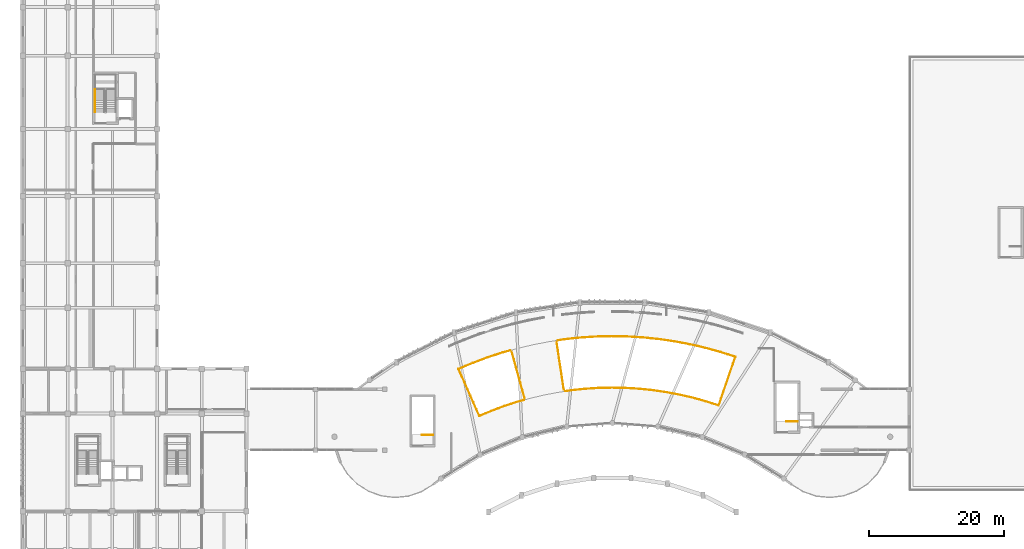
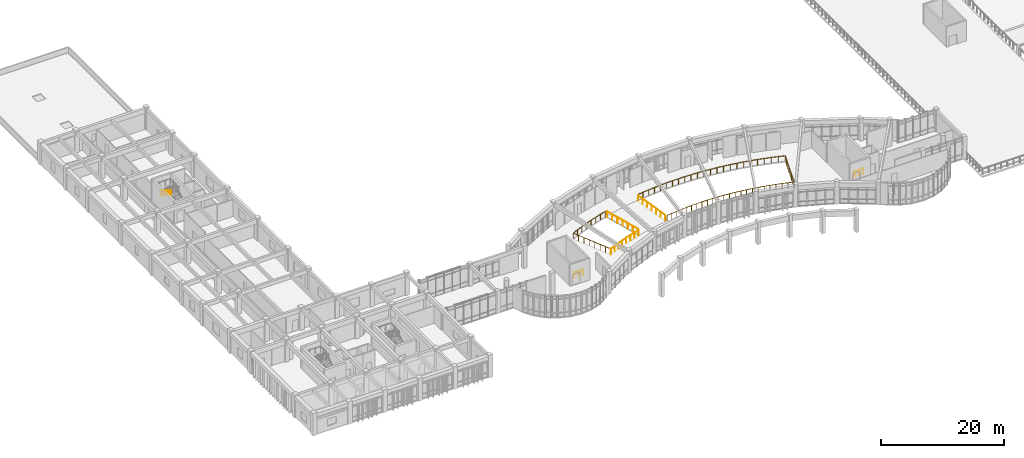
# One storey, part 51 of 54: 8 railings.
"""IFC4 building model written with IfcOpenShell, lengths in metres."""

from ifc_helpers import new_model, si_unit, direction, frame, origin, origin_2d, place, context, subcontext, project, spatial, circle, extrude, material, type_object, element, save


model = new_model("IFC4")

# Units and contexts
model_context = context("Model", 3, precision=1e-05, world=origin(), true_north=direction((0.0, 1.0)))
body_context = subcontext(model_context, "Body", "Model", "MODEL_VIEW")
ifc_project = project(units=[si_unit("LENGTHUNIT", "METRE"), si_unit("AREAUNIT", "SQUARE_METRE"), si_unit("VOLUMEUNIT", "CUBIC_METRE"), si_unit("PLANEANGLEUNIT", "RADIAN"), si_unit("MASSUNIT", "GRAM", prefix="KILO")], contexts=[model_context])

# Site, building, storey
site_placement = place(None, origin())
site = spatial("IfcSite", under=ifc_project, at=site_placement, CompositionType="ELEMENT")
building_placement = place(site_placement, origin())
building = spatial("IfcBuilding", under=site, at=building_placement, Name="Miralva Faculty of Natural Sciences", CompositionType="ELEMENT")
storey_placement = place(building_placement, frame((0.0, 0.0, 19.5)))
storey = spatial("IfcBuildingStorey", under=building, at=storey_placement, Name="L04", CompositionType="ELEMENT", Elevation=19.5)

# Railings
ifc_material_1 = material(Name="Steel S355", Category="steel")
railing_type_1 = type_object("IfcRailingType", Name="RL-GR01", PredefinedType="GUARDRAIL", material=ifc_material_1)
for number, where, name in (
    (1, (117.35009765625, 22.25, 0.0), "Stair Core C3 top well guard 1"),
    (2, (63.550048828125, 20.25, 0.0), "Stair Core C6 top well guard 1"),
):
    element("IfcRailing", number, at=place(storey_placement, frame(where)), inside=storey, type_object=railing_type_1, Name=name, PredefinedType="GUARDRAIL", context=body_context, shape_type="SweptSolid", body=[
        extrude(circle(Radius=0.02392578125, at=origin_2d()), frame((0.0, 0.0, 1.09619140625), z_axis=(-1.0, 0.0, 0.0), x_axis=(0.0, -1.0, 0.0)), (0.0, 0.0, 1.0), 1.650146484375),
        extrude(circle(Radius=0.02099609375, at=origin_2d()), origin(), (0.0, 0.0, 1.0), 1.072021484375),
        extrude(circle(Radius=0.02099609375, at=origin_2d()), frame((-0.8251953125, 0.0, 0.0)), (0.0, 0.0, 1.0), 1.072021484375),
        extrude(circle(Radius=0.02099609375, at=origin_2d()), frame((-1.650146484375, 0.0, 0.0)), (0.0, 0.0, 1.0), 1.072021484375),
    ])
ifc_material_2 = material(Name="White powder-coated steel balustrade", Category="steel")
railing_type_2 = type_object("IfcRailingType", Name="RL-GR02", PredefinedType="BALUSTRADE", material=ifc_material_2)
railing_1_placement = place(storey_placement, frame((70.395263671875, 23.032958984375, 0.0)))
element("IfcRailing", 3, at=railing_1_placement, inside=storey, type_object=railing_type_2, Name="Atrium curved white gallery balustrade L04-11", PredefinedType="BALUSTRADE", context=body_context, shape_type="SweptSolid", body=[
    extrude(circle(Radius=0.02392578125, at=origin_2d()), frame((0.0, 0.0, 1.09619140625), z_axis=(-0.406725561135, 0.91355039156, 0.0), x_axis=(-0.91355039156, -0.406725561135, 0.0)), (0.0, 0.0, 1.0), 7.599853515625),
    extrude(circle(Radius=0.02392578125, at=origin_2d()), frame((-3.091064453125, 6.94287109375, 1.09619140625), z_axis=(0.921826899722, 0.387601814946, 0.0), x_axis=(-0.387601814946, 0.921826899722, 0.0)), (0.0, 0.0, 1.0), 2.326171875),
    extrude(circle(Radius=0.02392578125, at=origin_2d()), frame((-0.94677734375, 7.844482421875, 1.09619140625), z_axis=(0.937158825962, 0.34890304516, 0.0), x_axis=(-0.34890304516, 0.937158825962, 0.0)), (0.0, 0.0, 1.0), 2.32666015625),
    extrude(circle(Radius=0.02392578125, at=origin_2d()), frame((1.233642578125, 8.65625, 1.09619140625), z_axis=(0.950936073236, 0.309387434488, 0.0), x_axis=(-0.309387434488, 0.950936073236, 0.0)), (0.0, 0.0, 1.0), 2.326416015625),
    extrude(circle(Radius=0.02392578125, at=origin_2d()), frame((3.44580078125, 9.3759765625, 1.09619140625), z_axis=(0.962968554222, 0.269613730325, 0.0), x_axis=(-0.269613730325, 0.962968554222, 0.0)), (0.0, 0.0, 1.0), 1.118408203125),
    extrude(circle(Radius=0.02099609375, at=origin_2d()), origin(), (0.0, 0.0, 1.0), 1.072021484375),
    extrude(circle(Radius=0.02099609375, at=origin_2d()), frame((-0.441650390625, 0.991943359375, 0.0)), (0.0, 0.0, 1.0), 1.072021484375),
    extrude(circle(Radius=0.02099609375, at=origin_2d()), frame((-0.883056640625, 1.983642578125, 0.0)), (0.0, 0.0, 1.0), 1.072021484375),
    extrude(circle(Radius=0.02099609375, at=origin_2d()), frame((-1.32470703125, 2.9755859375, 0.0)), (0.0, 0.0, 1.0), 1.072021484375),
    extrude(circle(Radius=0.02099609375, at=origin_2d()), frame((-1.766357421875, 3.96728515625, 0.0)), (0.0, 0.0, 1.0), 1.072021484375),
    extrude(circle(Radius=0.02099609375, at=origin_2d()), frame((-2.2080078125, 4.959228515625, 0.0)), (0.0, 0.0, 1.0), 1.072021484375),
    extrude(circle(Radius=0.02099609375, at=origin_2d()), frame((-2.6494140625, 5.950927734375, 0.0)), (0.0, 0.0, 1.0), 1.072021484375),
    extrude(circle(Radius=0.02099609375, at=origin_2d()), frame((-3.091064453125, 6.94287109375, 0.0)), (0.0, 0.0, 1.0), 1.072021484375),
    extrude(circle(Radius=0.02099609375, at=origin_2d()), frame((-2.01904296875, 7.3935546875, 0.0)), (0.0, 0.0, 1.0), 1.072021484375),
    extrude(circle(Radius=0.02099609375, at=origin_2d()), frame((-0.94677734375, 7.844482421875, 0.0)), (0.0, 0.0, 1.0), 1.072021484375),
    extrude(circle(Radius=0.02099609375, at=origin_2d()), frame((0.1435546875, 8.25048828125, 0.0)), (0.0, 0.0, 1.0), 1.072021484375),
    extrude(circle(Radius=0.02099609375, at=origin_2d()), frame((1.233642578125, 8.65625, 0.0)), (0.0, 0.0, 1.0), 1.072021484375),
    extrude(circle(Radius=0.02099609375, at=origin_2d()), frame((2.33984375, 9.01611328125, 0.0)), (0.0, 0.0, 1.0), 1.072021484375),
    extrude(circle(Radius=0.02099609375, at=origin_2d()), frame((3.44580078125, 9.3759765625, 0.0)), (0.0, 0.0, 1.0), 1.072021484375),
    extrude(circle(Radius=0.02099609375, at=origin_2d()), frame((4.522705078125, 9.677490234375, 0.0)), (0.0, 0.0, 1.0), 1.072021484375),
])
railing_2_placement = place(storey_placement, frame((81.931884765625, 34.20166015625, 0.0)))
element("IfcRailing", 4, at=railing_2_placement, inside=storey, type_object=railing_type_2, Name="Atrium curved white gallery balustrade L04-21", PredefinedType="BALUSTRADE", context=body_context, shape_type="SweptSolid", body=[
    extrude(circle(Radius=0.02392578125, at=origin_2d()), frame((0.0, 0.0, 1.09619140625), z_axis=(0.98908118853, 0.147371647534, 0.0), x_axis=(-0.147371647534, 0.98908118853, 0.0)), (0.0, 0.0, 1.0), 1.010498046875),
    extrude(circle(Radius=0.02392578125, at=origin_2d()), frame((0.99951171875, 0.14892578125, 1.09619140625), z_axis=(0.994376455982, 0.105903086773, 0.0), x_axis=(-0.105903086773, 0.994376455982, 0.0)), (0.0, 0.0, 1.0), 2.326171875),
    extrude(circle(Radius=0.02392578125, at=origin_2d()), frame((3.3125, 0.395263671875, 1.09619140625), z_axis=(0.99792182747, 0.064436218537, 0.0), x_axis=(-0.064436218537, 0.99792182747, 0.0)), (0.0, 0.0, 1.0), 2.326416015625),
    extrude(circle(Radius=0.02392578125, at=origin_2d()), frame((5.634033203125, 0.545166015625, 1.09619140625), z_axis=(0.99974069661, 0.022771463332, 0.0), x_axis=(-0.022771463332, 0.99974069661, 0.0)), (0.0, 0.0, 1.0), 2.326416015625),
    extrude(circle(Radius=0.02392578125, at=origin_2d()), frame((7.9599609375, 0.59814453125, 1.09619140625), z_axis=(0.999821562377, -0.018890299279, 0.0), x_axis=(0.018890299279, 0.999821562377, 0.0)), (0.0, 0.0, 1.0), 2.326416015625),
    extrude(circle(Radius=0.02392578125, at=origin_2d()), frame((10.285888671875, 0.55419921875, 1.09619140625), z_axis=(0.998164846104, -0.060555264031, 0.0), x_axis=(0.060555264031, 0.998164846104, 0.0)), (0.0, 0.0, 1.0), 2.326171875),
    extrude(circle(Radius=0.02392578125, at=origin_2d()), frame((12.60791015625, 0.413330078125, 1.09619140625), z_axis=(0.994772968582, -0.102111414541, 0.0), x_axis=(0.102111414541, 0.994772968582, 0.0)), (0.0, 0.0, 1.0), 2.326416015625),
    extrude(circle(Radius=0.02392578125, at=origin_2d()), frame((14.922119140625, 0.17578125, 1.09619140625), z_axis=(0.989655632774, -0.143463335101, 0.0), x_axis=(0.143463335101, 0.989655632774, 0.0)), (0.0, 0.0, 1.0), 2.326416015625),
    extrude(circle(Radius=0.02392578125, at=origin_2d()), frame((17.224365234375, -0.157958984375, 1.09619140625), z_axis=(0.982813922885, -0.184599005911, 0.0), x_axis=(0.184599005911, 0.982813922885, 0.0)), (0.0, 0.0, 1.0), 2.326416015625),
    extrude(circle(Radius=0.02392578125, at=origin_2d()), frame((19.5107421875, -0.58740234375, 1.09619140625), z_axis=(0.974235308545, -0.225533952177, 0.0), x_axis=(0.225533952177, 0.974235308545, 0.0)), (0.0, 0.0, 1.0), 2.326171875),
    extrude(circle(Radius=0.02392578125, at=origin_2d()), frame((21.777099609375, -1.112060546875, 1.09619140625), z_axis=(0.964028785432, -0.265797857135, 0.0), x_axis=(0.265797857135, 0.964028785432, 0.0)), (0.0, 0.0, 1.0), 2.32666015625),
    extrude(circle(Radius=0.02392578125, at=origin_2d()), frame((24.02001953125, -1.73046875, 1.09619140625), z_axis=(0.952120244936, -0.30572379558, 0.0), x_axis=(0.30572379558, 0.952120244936, 0.0)), (0.0, 0.0, 1.0), 2.326171875),
    extrude(circle(Radius=0.02392578125, at=origin_2d()), frame((26.23486328125, -2.441650390625, 1.09619140625), z_axis=(-0.325569907155, -0.945517972095, 0.0), x_axis=(0.945517972095, -0.325569907155, 0.0)), (0.0, 0.0, 1.0), 7.60009765625),
    extrude(circle(Radius=0.02392578125, at=origin_2d()), frame((23.760498046875, -9.627685546875, 1.09619140625), z_axis=(-0.952100584939, 0.305785016242, 0.0), x_axis=(-0.305785016242, -0.952100584939, 0.0)), (0.0, 0.0, 1.0), 2.009521484375),
    extrude(circle(Radius=0.02392578125, at=origin_2d()), frame((21.84716796875, -9.01318359375, 1.09619140625), z_axis=(-0.964022682482, 0.265819991086, 0.0), x_axis=(-0.265819991086, -0.964022682482, 0.0)), (0.0, 0.0, 1.0), 2.009521484375),
    extrude(circle(Radius=0.02392578125, at=origin_2d()), frame((19.909912109375, -8.47900390625, 1.09619140625), z_axis=(-0.974239432549, 0.225516137043, 0.0), x_axis=(-0.225516137043, -0.974239432549, 0.0)), (0.0, 0.0, 1.0), 2.00927734375),
    extrude(circle(Radius=0.02392578125, at=origin_2d()), frame((17.952392578125, -8.02587890625, 1.09619140625), z_axis=(-0.982825394472, 0.184537920173, 0.0), x_axis=(-0.184537920173, -0.982825394472, 0.0)), (0.0, 0.0, 1.0), 2.009521484375),
    extrude(circle(Radius=0.02392578125, at=origin_2d()), frame((15.977294921875, -7.655029296875, 1.09619140625), z_axis=(-0.989653349856, 0.143479082516, 0.0), x_axis=(-0.143479082516, -0.989653349856, 0.0)), (0.0, 0.0, 1.0), 2.009521484375),
    extrude(circle(Radius=0.02392578125, at=origin_2d()), frame((13.988525390625, -7.36669921875, 1.09619140625), z_axis=(-0.994766567768, 0.102173752259, 0.0), x_axis=(-0.102173752259, -0.994766567768, 0.0)), (0.0, 0.0, 1.0), 2.009521484375),
    extrude(circle(Radius=0.02392578125, at=origin_2d()), frame((11.989501953125, -7.161376953125, 1.09619140625), z_axis=(-0.998167607188, 0.060509734435, 0.0), x_axis=(-0.060509734435, -0.998167607188, 0.0)), (0.0, 0.0, 1.0), 2.00927734375),
    extrude(circle(Radius=0.02392578125, at=origin_2d()), frame((9.98388671875, -7.039794921875, 1.09619140625), z_axis=(-0.999820401576, 0.018951638232, 0.0), x_axis=(-0.018951638232, -0.999820401576, 0.0)), (0.0, 0.0, 1.0), 2.009521484375),
    extrude(circle(Radius=0.02392578125, at=origin_2d()), frame((7.974609375, -7.001708984375, 1.09619140625), z_axis=(-0.999739131518, -0.022840072515, 0.0), x_axis=(0.022840072515, -0.999739131518, 0.0)), (0.0, 0.0, 1.0), 2.009521484375),
    extrude(circle(Radius=0.02392578125, at=origin_2d()), frame((5.965576171875, -7.047607421875, 1.09619140625), z_axis=(-0.997924805349, -0.064390083618, 0.0), x_axis=(0.064390083618, -0.997924805349, 0.0)), (0.0, 0.0, 1.0), 2.009521484375),
    extrude(circle(Radius=0.02392578125, at=origin_2d()), frame((3.960205078125, -7.177001953125, 1.09619140625), z_axis=(-0.99437149569, -0.105949651056, 0.0), x_axis=(0.105949651056, -0.99437149569, 0.0)), (0.0, 0.0, 1.0), 2.00927734375),
    extrude(circle(Radius=0.02392578125, at=origin_2d()), frame((1.962158203125, -7.389892578125, 1.09619140625), z_axis=(-0.989079466652, -0.147383203413, 0.0), x_axis=(0.147383203413, -0.989079466652, 0.0)), (0.0, 0.0, 1.0), 0.84814453125),
    extrude(circle(Radius=0.02099609375, at=origin_2d()), origin(), (0.0, 0.0, 1.0), 1.072021484375),
    extrude(circle(Radius=0.02099609375, at=origin_2d()), frame((0.99951171875, 0.14892578125, 0.0)), (0.0, 0.0, 1.0), 1.072021484375),
    extrude(circle(Radius=0.02099609375, at=origin_2d()), frame((2.156005859375, 0.27197265625, 0.0)), (0.0, 0.0, 1.0), 1.072021484375),
    extrude(circle(Radius=0.02099609375, at=origin_2d()), frame((3.3125, 0.395263671875, 0.0)), (0.0, 0.0, 1.0), 1.072021484375),
    extrude(circle(Radius=0.02099609375, at=origin_2d()), frame((4.47314453125, 0.47021484375, 0.0)), (0.0, 0.0, 1.0), 1.072021484375),
    extrude(circle(Radius=0.02099609375, at=origin_2d()), frame((5.634033203125, 0.545166015625, 0.0)), (0.0, 0.0, 1.0), 1.072021484375),
    extrude(circle(Radius=0.02099609375, at=origin_2d()), frame((6.796875, 0.57177734375, 0.0)), (0.0, 0.0, 1.0), 1.072021484375),
    extrude(circle(Radius=0.02099609375, at=origin_2d()), frame((7.9599609375, 0.59814453125, 0.0)), (0.0, 0.0, 1.0), 1.072021484375),
    extrude(circle(Radius=0.02099609375, at=origin_2d()), frame((9.123046875, 0.576171875, 0.0)), (0.0, 0.0, 1.0), 1.072021484375),
    extrude(circle(Radius=0.02099609375, at=origin_2d()), frame((10.285888671875, 0.55419921875, 0.0)), (0.0, 0.0, 1.0), 1.072021484375),
    extrude(circle(Radius=0.02099609375, at=origin_2d()), frame((11.44677734375, 0.48388671875, 0.0)), (0.0, 0.0, 1.0), 1.072021484375),
    extrude(circle(Radius=0.02099609375, at=origin_2d()), frame((12.60791015625, 0.413330078125, 0.0)), (0.0, 0.0, 1.0), 1.072021484375),
    extrude(circle(Radius=0.02099609375, at=origin_2d()), frame((13.76513671875, 0.29443359375, 0.0)), (0.0, 0.0, 1.0), 1.072021484375),
    extrude(circle(Radius=0.02099609375, at=origin_2d()), frame((14.922119140625, 0.17578125, 0.0)), (0.0, 0.0, 1.0), 1.072021484375),
    extrude(circle(Radius=0.02099609375, at=origin_2d()), frame((16.0732421875, 0.0087890625, 0.0)), (0.0, 0.0, 1.0), 1.072021484375),
    extrude(circle(Radius=0.02099609375, at=origin_2d()), frame((17.224365234375, -0.157958984375, 0.0)), (0.0, 0.0, 1.0), 1.072021484375),
    extrude(circle(Radius=0.02099609375, at=origin_2d()), frame((18.36767578125, -0.37255859375, 0.0)), (0.0, 0.0, 1.0), 1.072021484375),
    extrude(circle(Radius=0.02099609375, at=origin_2d()), frame((19.5107421875, -0.58740234375, 0.0)), (0.0, 0.0, 1.0), 1.072021484375),
    extrude(circle(Radius=0.02099609375, at=origin_2d()), frame((20.64404296875, -0.849609375, 0.0)), (0.0, 0.0, 1.0), 1.072021484375),
    extrude(circle(Radius=0.02099609375, at=origin_2d()), frame((21.777099609375, -1.112060546875, 0.0)), (0.0, 0.0, 1.0), 1.072021484375),
    extrude(circle(Radius=0.02099609375, at=origin_2d()), frame((22.8984375, -1.42138671875, 0.0)), (0.0, 0.0, 1.0), 1.072021484375),
    extrude(circle(Radius=0.02099609375, at=origin_2d()), frame((24.02001953125, -1.73046875, 0.0)), (0.0, 0.0, 1.0), 1.072021484375),
    extrude(circle(Radius=0.02099609375, at=origin_2d()), frame((25.12744140625, -2.0859375, 0.0)), (0.0, 0.0, 1.0), 1.072021484375),
    extrude(circle(Radius=0.02099609375, at=origin_2d()), frame((26.23486328125, -2.441650390625, 0.0)), (0.0, 0.0, 1.0), 1.072021484375),
    extrude(circle(Radius=0.02099609375, at=origin_2d()), frame((25.88134765625, -3.46826171875, 0.0)), (0.0, 0.0, 1.0), 1.072021484375),
    extrude(circle(Radius=0.02099609375, at=origin_2d()), frame((25.52783203125, -4.494873046875, 0.0)), (0.0, 0.0, 1.0), 1.072021484375),
    extrude(circle(Radius=0.02099609375, at=origin_2d()), frame((25.17431640625, -5.521484375, 0.0)), (0.0, 0.0, 1.0), 1.072021484375),
    extrude(circle(Radius=0.02099609375, at=origin_2d()), frame((24.821044921875, -6.5478515625, 0.0)), (0.0, 0.0, 1.0), 1.072021484375),
    extrude(circle(Radius=0.02099609375, at=origin_2d()), frame((24.467529296875, -7.574462890625, 0.0)), (0.0, 0.0, 1.0), 1.072021484375),
    extrude(circle(Radius=0.02099609375, at=origin_2d()), frame((24.114013671875, -8.60107421875, 0.0)), (0.0, 0.0, 1.0), 1.072021484375),
    extrude(circle(Radius=0.02099609375, at=origin_2d()), frame((23.760498046875, -9.627685546875, 0.0)), (0.0, 0.0, 1.0), 1.072021484375),
    extrude(circle(Radius=0.02099609375, at=origin_2d()), frame((22.8037109375, -9.3203125, 0.0)), (0.0, 0.0, 1.0), 1.072021484375),
    extrude(circle(Radius=0.02099609375, at=origin_2d()), frame((21.84716796875, -9.01318359375, 0.0)), (0.0, 0.0, 1.0), 1.072021484375),
    extrude(circle(Radius=0.02099609375, at=origin_2d()), frame((20.87841796875, -8.74609375, 0.0)), (0.0, 0.0, 1.0), 1.072021484375),
    extrude(circle(Radius=0.02099609375, at=origin_2d()), frame((19.909912109375, -8.47900390625, 0.0)), (0.0, 0.0, 1.0), 1.072021484375),
    extrude(circle(Radius=0.02099609375, at=origin_2d()), frame((18.93115234375, -8.25244140625, 0.0)), (0.0, 0.0, 1.0), 1.072021484375),
    extrude(circle(Radius=0.02099609375, at=origin_2d()), frame((17.952392578125, -8.02587890625, 0.0)), (0.0, 0.0, 1.0), 1.072021484375),
    extrude(circle(Radius=0.02099609375, at=origin_2d()), frame((16.96484375, -7.84033203125, 0.0)), (0.0, 0.0, 1.0), 1.072021484375),
    extrude(circle(Radius=0.02099609375, at=origin_2d()), frame((15.977294921875, -7.655029296875, 0.0)), (0.0, 0.0, 1.0), 1.072021484375),
    extrude(circle(Radius=0.02099609375, at=origin_2d()), frame((14.98291015625, -7.5107421875, 0.0)), (0.0, 0.0, 1.0), 1.072021484375),
    extrude(circle(Radius=0.02099609375, at=origin_2d()), frame((13.988525390625, -7.36669921875, 0.0)), (0.0, 0.0, 1.0), 1.072021484375),
    extrude(circle(Radius=0.02099609375, at=origin_2d()), frame((12.989013671875, -7.26416015625, 0.0)), (0.0, 0.0, 1.0), 1.072021484375),
    extrude(circle(Radius=0.02099609375, at=origin_2d()), frame((11.989501953125, -7.161376953125, 0.0)), (0.0, 0.0, 1.0), 1.072021484375),
    extrude(circle(Radius=0.02099609375, at=origin_2d()), frame((10.98681640625, -7.1005859375, 0.0)), (0.0, 0.0, 1.0), 1.072021484375),
    extrude(circle(Radius=0.02099609375, at=origin_2d()), frame((9.98388671875, -7.039794921875, 0.0)), (0.0, 0.0, 1.0), 1.072021484375),
    extrude(circle(Radius=0.02099609375, at=origin_2d()), frame((8.979248046875, -7.020751953125, 0.0)), (0.0, 0.0, 1.0), 1.072021484375),
    extrude(circle(Radius=0.02099609375, at=origin_2d()), frame((7.974609375, -7.001708984375, 0.0)), (0.0, 0.0, 1.0), 1.072021484375),
    extrude(circle(Radius=0.02099609375, at=origin_2d()), frame((6.97021484375, -7.024658203125, 0.0)), (0.0, 0.0, 1.0), 1.072021484375),
    extrude(circle(Radius=0.02099609375, at=origin_2d()), frame((5.965576171875, -7.047607421875, 0.0)), (0.0, 0.0, 1.0), 1.072021484375),
    extrude(circle(Radius=0.02099609375, at=origin_2d()), frame((4.962890625, -7.1123046875, 0.0)), (0.0, 0.0, 1.0), 1.072021484375),
    extrude(circle(Radius=0.02099609375, at=origin_2d()), frame((3.960205078125, -7.177001953125, 0.0)), (0.0, 0.0, 1.0), 1.072021484375),
    extrude(circle(Radius=0.02099609375, at=origin_2d()), frame((2.961181640625, -7.283447265625, 0.0)), (0.0, 0.0, 1.0), 1.072021484375),
    extrude(circle(Radius=0.02099609375, at=origin_2d()), frame((1.962158203125, -7.389892578125, 0.0)), (0.0, 0.0, 1.0), 1.072021484375),
    extrude(circle(Radius=0.02099609375, at=origin_2d()), frame((1.123291015625, -7.514892578125, 0.0)), (0.0, 0.0, 1.0), 1.072021484375),
])
railing_3_placement = place(storey_placement, frame((76.948486328125, 25.388427734375, 0.0)))
element("IfcRailing", 5, at=railing_3_placement, inside=storey, type_object=railing_type_2, Name="Atrium curved white gallery balustrade L04-31", PredefinedType="BALUSTRADE", context=body_context, shape_type="SweptSolid", body=[
    extrude(circle(Radius=0.02392578125, at=origin_2d()), frame((0.0, 0.0, 1.09619140625), z_axis=(-0.963025933003, -0.269408708775, 0.0), x_axis=(0.269408708775, -0.963025933003, 0.0)), (0.0, 0.0, 1.0), 0.941650390625),
    extrude(circle(Radius=0.02392578125, at=origin_2d()), frame((-0.90673828125, -0.253662109375, 1.09619140625), z_axis=(-0.950871431487, -0.309586047461, 0.0), x_axis=(0.309586047461, -0.950871431487, 0.0)), (0.0, 0.0, 1.0), 2.00927734375),
    extrude(circle(Radius=0.02392578125, at=origin_2d()), frame((-2.8173828125, -0.875732421875, 1.09619140625), z_axis=(-0.937195067945, -0.348805683182, 0.0), x_axis=(0.348805683182, -0.937195067945, 0.0)), (0.0, 0.0, 1.0), 2.009521484375),
    extrude(circle(Radius=0.02392578125, at=origin_2d()), frame((-4.70068359375, -1.57666015625, 1.09619140625), z_axis=(-0.921850195856, -0.38754640548, 0.0), x_axis=(0.38754640548, -0.921850195856, 0.0)), (0.0, 0.0, 1.0), 2.009521484375),
    extrude(circle(Radius=0.02099609375, at=origin_2d()), origin(), (0.0, 0.0, 1.0), 1.072021484375),
    extrude(circle(Radius=0.02099609375, at=origin_2d()), frame((-0.90673828125, -0.253662109375, 0.0)), (0.0, 0.0, 1.0), 1.072021484375),
    extrude(circle(Radius=0.02099609375, at=origin_2d()), frame((-1.862060546875, -0.564697265625, 0.0)), (0.0, 0.0, 1.0), 1.072021484375),
    extrude(circle(Radius=0.02099609375, at=origin_2d()), frame((-2.8173828125, -0.875732421875, 0.0)), (0.0, 0.0, 1.0), 1.072021484375),
    extrude(circle(Radius=0.02099609375, at=origin_2d()), frame((-3.759033203125, -1.22607421875, 0.0)), (0.0, 0.0, 1.0), 1.072021484375),
    extrude(circle(Radius=0.02099609375, at=origin_2d()), frame((-4.70068359375, -1.57666015625, 0.0)), (0.0, 0.0, 1.0), 1.072021484375),
    extrude(circle(Radius=0.02099609375, at=origin_2d()), frame((-5.626953125, -1.966064453125, 0.0)), (0.0, 0.0, 1.0), 1.072021484375),
    extrude(circle(Radius=0.02099609375, at=origin_2d()), frame((-6.55322265625, -2.35546875, 0.0)), (0.0, 0.0, 1.0), 1.072021484375),
])
railing_4_placement = place(storey_placement, frame((81.791015625, 33.927978515625, 0.0)))
element("IfcRailing", 6, at=railing_4_placement, inside=storey, type_object=railing_type_2, Name="Atrium bridge balustrade L04-1", PredefinedType="BALUSTRADE", context=body_context, shape_type="SweptSolid", body=[
    extrude(circle(Radius=0.02392578125, at=origin_2d()), frame((0.0, 0.0, 1.09619140625), z_axis=(0.147788788686, -0.989018945187, 0.0), x_axis=(0.989018945187, 0.147788788686, 0.0)), (0.0, 0.0, 1.0), 7.098388671875),
    extrude(circle(Radius=0.02099609375, at=origin_2d()), origin(), (0.0, 0.0, 1.0), 1.072021484375),
    extrude(circle(Radius=0.02099609375, at=origin_2d()), frame((0.1748046875, -1.170166015625, 0.0)), (0.0, 0.0, 1.0), 1.072021484375),
    extrude(circle(Radius=0.02099609375, at=origin_2d()), frame((0.349609375, -2.340087890625, 0.0)), (0.0, 0.0, 1.0), 1.072021484375),
    extrude(circle(Radius=0.02099609375, at=origin_2d()), frame((0.5244140625, -3.51025390625, 0.0)), (0.0, 0.0, 1.0), 1.072021484375),
    extrude(circle(Radius=0.02099609375, at=origin_2d()), frame((0.699462890625, -4.680419921875, 0.0)), (0.0, 0.0, 1.0), 1.072021484375),
    extrude(circle(Radius=0.02099609375, at=origin_2d()), frame((0.874267578125, -5.850341796875, 0.0)), (0.0, 0.0, 1.0), 1.072021484375),
    extrude(circle(Radius=0.02099609375, at=origin_2d()), frame((1.049072265625, -7.0205078125, 0.0)), (0.0, 0.0, 1.0), 1.072021484375),
])
railing_5_placement = place(storey_placement, frame((77.05517578125, 25.677978515625, 0.0)))
element("IfcRailing", 7, at=railing_5_placement, inside=storey, type_object=railing_type_2, Name="Atrium bridge balustrade L04-2", PredefinedType="BALUSTRADE", context=body_context, shape_type="SweptSolid", body=[
    extrude(circle(Radius=0.02392578125, at=origin_2d()), frame((0.0, 0.0, 1.09619140625), z_axis=(-0.267244707772, 0.963628697252, 0.0), x_axis=(-0.963628697252, -0.267244707772, 0.0)), (0.0, 0.0, 1.0), 7.09814453125),
    extrude(circle(Radius=0.02099609375, at=origin_2d()), origin(), (0.0, 0.0, 1.0), 1.072021484375),
    extrude(circle(Radius=0.02099609375, at=origin_2d()), frame((-0.316162109375, 1.14013671875, 0.0)), (0.0, 0.0, 1.0), 1.072021484375),
    extrude(circle(Radius=0.02099609375, at=origin_2d()), frame((-0.63232421875, 2.280029296875, 0.0)), (0.0, 0.0, 1.0), 1.072021484375),
    extrude(circle(Radius=0.02099609375, at=origin_2d()), frame((-0.948486328125, 3.419921875, 0.0)), (0.0, 0.0, 1.0), 1.072021484375),
    extrude(circle(Radius=0.02099609375, at=origin_2d()), frame((-1.2646484375, 4.56005859375, 0.0)), (0.0, 0.0, 1.0), 1.072021484375),
    extrude(circle(Radius=0.02099609375, at=origin_2d()), frame((-1.580810546875, 5.7001953125, 0.0)), (0.0, 0.0, 1.0), 1.072021484375),
    extrude(circle(Radius=0.02099609375, at=origin_2d()), frame((-1.89697265625, 6.840087890625, 0.0)), (0.0, 0.0, 1.0), 1.072021484375),
])
railing_type_3 = type_object("IfcRailingType", Name="RL-HR01", PredefinedType="HANDRAIL", material=ifc_material_1)
railing_6_placement = place(storey_placement, frame((13.64990234375, 71.260009765625, 2.423095703125)))
element("IfcRailing", 8, at=railing_6_placement, inside=storey, type_object=railing_type_3, Name="Stair Core C2 handrail L04-2", PredefinedType="HANDRAIL", context=body_context, shape_type="SweptSolid", body=[
    extrude(circle(Radius=0.02392578125, at=origin_2d()), frame((0.0, 0.0, 0.8759765625), z_axis=(0.0, -0.850623216509, 0.525775754039), x_axis=(1.0, 0.0, 0.0)), (0.0, 0.0, 1.0), 3.9501953125),
    extrude(circle(Radius=0.02099609375, at=origin_2d()), origin(), (0.0, 0.0, 1.0), 0.851806640625),
    extrude(circle(Radius=0.02099609375, at=origin_2d()), frame((0.0, -0.840087890625, 0.519287109375)), (0.0, 0.0, 1.0), 0.851806640625),
    extrude(circle(Radius=0.02099609375, at=origin_2d()), frame((0.0, -1.68017578125, 1.03857421875)), (0.0, 0.0, 1.0), 0.851806640625),
    extrude(circle(Radius=0.02099609375, at=origin_2d()), frame((0.0, -2.52001953125, 1.5576171875)), (0.0, 0.0, 1.0), 0.851806640625),
    extrude(circle(Radius=0.02099609375, at=origin_2d()), frame((0.0, -3.360107421875, 2.076904296875)), (0.0, 0.0, 1.0), 0.851806640625),
])

save(model, "model.ifc")
